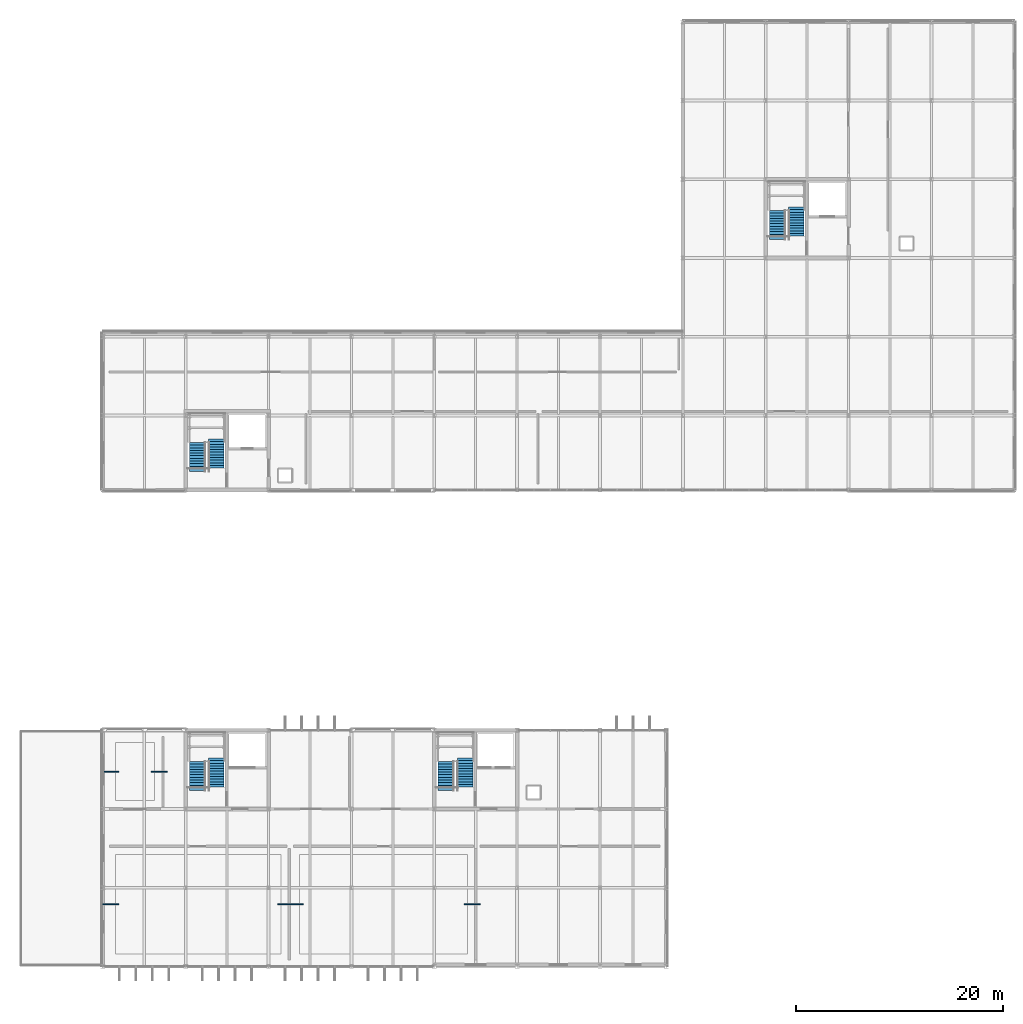
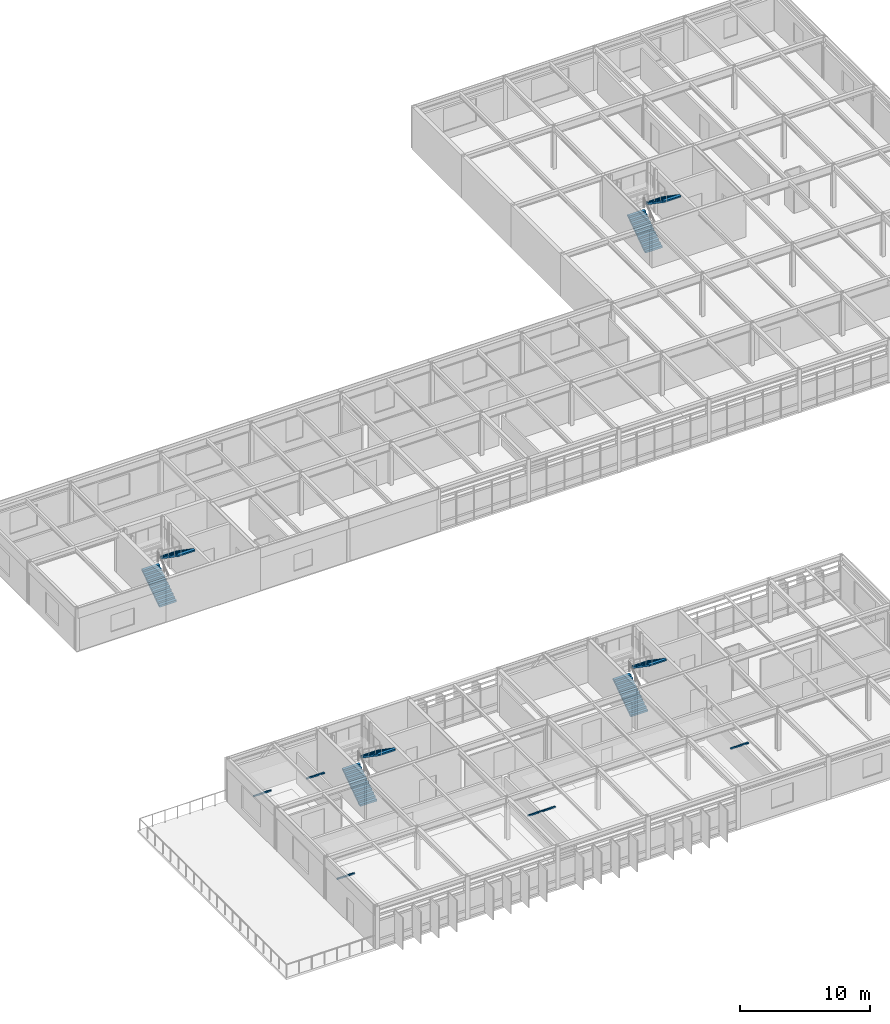
# One storey, part 36 of 45: 8 stair flights, 6 discrete accessories, 4 elements without a shape of their own.
"""IFC4 building model written with IfcOpenShell, lengths in metres."""

from ifc_helpers import new_model, si_unit, direction, frame, origin, origin_2d, place, context, subcontext, project, spatial, polyline, rectangle, outline, extrude, material, layer, layer_set, type_object, element, aggregate, save


model = new_model("IFC4")

# Units and contexts
model_context = context("Model", 3, precision=1e-05, world=origin(), true_north=direction((0.0, 1.0)))
body_context = subcontext(model_context, "Body", "Model", "MODEL_VIEW")
ifc_project = project(units=[si_unit("LENGTHUNIT", "METRE"), si_unit("AREAUNIT", "SQUARE_METRE"), si_unit("VOLUMEUNIT", "CUBIC_METRE"), si_unit("PLANEANGLEUNIT", "RADIAN"), si_unit("MASSUNIT", "GRAM", prefix="KILO")], contexts=[model_context])

# Site, building, storey
site_placement = place(None, origin())
site = spatial("IfcSite", under=ifc_project, at=site_placement, CompositionType="ELEMENT")
building_placement = place(site_placement, origin())
building = spatial("IfcBuilding", under=site, at=building_placement, Name="Zulena Civic Courthouse", CompositionType="ELEMENT")
storey_placement = place(building_placement, frame((0.0, 0.0, 29.39990234375)))
storey = spatial("IfcBuildingStorey", under=building, at=storey_placement, Name="L06", CompositionType="ELEMENT", Elevation=29.39990234375)

# Stair, stair flights
ifc_material_1 = material(Name="Precast concrete C40/50", Category="concrete")
stair_type = type_object("IfcStairType", Name="HalfTurnStair_4200", PredefinedType="HALF_TURN_STAIR", material=ifc_material_1)
stair_1_placement = place(storey_placement, origin())
stair_1 = element("IfcStair", 1, at=stair_1_placement, inside=storey, type_object=stair_type, Name="stair:K2A:L06", PredefinedType="HALF_TURN_STAIR")
stair_flight_type = type_object("IfcStairFlightType", Name="StairFlight_4200", PredefinedType="STRAIGHT", material=ifc_material_1)
stair_flight_1_placement = place(storey_placement, frame((21.1298828125, 16.97998046875, 0.0), z_axis=(0.0, 0.0, 1.0), x_axis=(0.0, 1.0, 0.0)))
stair_flight_1 = element("IfcStairFlight", 2, at=stair_flight_1_placement, type_object=stair_flight_type, Name="stair:K2A:L06:F1", NumberOfRisers=12, NumberOfTreads=11, PredefinedType="STRAIGHT", RiserHeight=0.175, TreadLength=0.255, context=body_context, shape_type="SweptSolid", body=[
    extrude(outline(polyline([(0.0, 0.0), (0.0, 0.175048828125), (0.2548828125, 0.175048828125), (0.2548828125, 0.35009765625), (0.510009765625, 0.35009765625), (0.510009765625, 0.52490234375), (0.764892578125, 0.52490234375), (0.764892578125, 0.699951171875), (1.02001953125, 0.699951171875), (1.02001953125, 0.875), (1.27490234375, 0.875), (1.27490234375, 1.050048828125), (1.530029296875, 1.050048828125), (1.530029296875, 1.22509765625), (1.784912109375, 1.22509765625), (1.784912109375, 1.39990234375), (2.0400390625, 1.39990234375), (2.0400390625, 1.574951171875), (2.294921875, 1.574951171875), (2.294921875, 1.75), (2.550048828125, 1.75), (2.550048828125, 1.925048828125), (2.804931640625, 1.925048828125), (2.804931640625, 2.10009765625), (2.804931640625, 1.797607421875), (0.185546875, 0.0), (0.0, 0.0)])), frame((0.0, 0.75, 0.0), z_axis=(0.0, -1.0, 0.0), x_axis=(1.0, 0.0, 0.0)), (0.0, 0.0, 1.0), 1.5),
])
stair_flight_2_placement = place(storey_placement, frame((22.969970703125, 20.124755859375, 2.10009765625), z_axis=(0.0, 0.0, 1.0), x_axis=(0.0, -1.0, 0.0)))
stair_flight_2 = element("IfcStairFlight", 3, at=stair_flight_2_placement, type_object=stair_flight_type, Name="stair:K2A:L06:F2", NumberOfRisers=12, NumberOfTreads=11, PredefinedType="STRAIGHT", RiserHeight=0.175, TreadLength=0.255, context=body_context, shape_type="SweptSolid", body=[
    extrude(outline(polyline([(0.0, 0.0), (0.0, 0.175048828125), (0.2548828125, 0.175048828125), (0.2548828125, 0.35009765625), (0.510009765625, 0.35009765625), (0.510009765625, 0.52490234375), (0.764892578125, 0.52490234375), (0.764892578125, 0.699951171875), (1.02001953125, 0.699951171875), (1.02001953125, 0.875), (1.27490234375, 0.875), (1.27490234375, 1.050048828125), (1.530029296875, 1.050048828125), (1.530029296875, 1.22509765625), (1.784912109375, 1.22509765625), (1.784912109375, 1.39990234375), (2.0400390625, 1.39990234375), (2.0400390625, 1.574951171875), (2.294921875, 1.574951171875), (2.294921875, 1.75), (2.550048828125, 1.75), (2.550048828125, 1.925048828125), (2.804931640625, 1.925048828125), (2.804931640625, 2.10009765625), (2.804931640625, 1.797607421875), (0.185546875, 0.0), (0.0, 0.0)])), frame((0.0, 0.75, 0.0), z_axis=(0.0, -1.0, 0.0), x_axis=(1.0, 0.0, 0.0)), (0.0, 0.0, 1.0), 1.5),
])
aggregate(stair_1, [stair_flight_1, stair_flight_2])

stair_2_placement = place(storey_placement, origin())
stair_2 = element("IfcStair", 4, at=stair_2_placement, inside=storey, type_object=stair_type, Name="stair:K2B:L06", PredefinedType="HALF_TURN_STAIR")
stair_flight_3_placement = place(storey_placement, frame((45.1298828125, 16.97998046875, 0.0), z_axis=(0.0, 0.0, 1.0), x_axis=(0.0, 1.0, 0.0)))
stair_flight_3 = element("IfcStairFlight", 5, at=stair_flight_3_placement, type_object=stair_flight_type, Name="stair:K2B:L06:F1", NumberOfRisers=12, NumberOfTreads=11, PredefinedType="STRAIGHT", RiserHeight=0.175, TreadLength=0.255, context=body_context, shape_type="SweptSolid", body=[
    extrude(outline(polyline([(0.0, 0.0), (0.0, 0.175048828125), (0.2548828125, 0.175048828125), (0.2548828125, 0.35009765625), (0.510009765625, 0.35009765625), (0.510009765625, 0.52490234375), (0.764892578125, 0.52490234375), (0.764892578125, 0.699951171875), (1.02001953125, 0.699951171875), (1.02001953125, 0.875), (1.27490234375, 0.875), (1.27490234375, 1.050048828125), (1.530029296875, 1.050048828125), (1.530029296875, 1.22509765625), (1.784912109375, 1.22509765625), (1.784912109375, 1.39990234375), (2.0400390625, 1.39990234375), (2.0400390625, 1.574951171875), (2.294921875, 1.574951171875), (2.294921875, 1.75), (2.550048828125, 1.75), (2.550048828125, 1.925048828125), (2.804931640625, 1.925048828125), (2.804931640625, 2.10009765625), (2.804931640625, 1.797607421875), (0.185546875, 0.0), (0.0, 0.0)])), frame((0.0, 0.75, 0.0), z_axis=(0.0, -1.0, 0.0), x_axis=(1.0, 0.0, 0.0)), (0.0, 0.0, 1.0), 1.5),
])
stair_flight_4_placement = place(storey_placement, frame((46.969970703125, 20.124755859375, 2.10009765625), z_axis=(0.0, 0.0, 1.0), x_axis=(0.0, -1.0, 0.0)))
stair_flight_4 = element("IfcStairFlight", 6, at=stair_flight_4_placement, type_object=stair_flight_type, Name="stair:K2B:L06:F2", NumberOfRisers=12, NumberOfTreads=11, PredefinedType="STRAIGHT", RiserHeight=0.175, TreadLength=0.255, context=body_context, shape_type="SweptSolid", body=[
    extrude(outline(polyline([(0.0, 0.0), (0.0, 0.175048828125), (0.2548828125, 0.175048828125), (0.2548828125, 0.35009765625), (0.510009765625, 0.35009765625), (0.510009765625, 0.52490234375), (0.764892578125, 0.52490234375), (0.764892578125, 0.699951171875), (1.02001953125, 0.699951171875), (1.02001953125, 0.875), (1.27490234375, 0.875), (1.27490234375, 1.050048828125), (1.530029296875, 1.050048828125), (1.530029296875, 1.22509765625), (1.784912109375, 1.22509765625), (1.784912109375, 1.39990234375), (2.0400390625, 1.39990234375), (2.0400390625, 1.574951171875), (2.294921875, 1.574951171875), (2.294921875, 1.75), (2.550048828125, 1.75), (2.550048828125, 1.925048828125), (2.804931640625, 1.925048828125), (2.804931640625, 2.10009765625), (2.804931640625, 1.797607421875), (0.185546875, 0.0), (0.0, 0.0)])), frame((0.0, 0.75, 0.0), z_axis=(0.0, -1.0, 0.0), x_axis=(1.0, 0.0, 0.0)), (0.0, 0.0, 1.0), 1.5),
])
aggregate(stair_2, [stair_flight_3, stair_flight_4])

stair_3_placement = place(storey_placement, origin())
stair_3 = element("IfcStair", 7, at=stair_3_placement, inside=storey, type_object=stair_type, Name="stair:K5A:L06", PredefinedType="HALF_TURN_STAIR")
stair_flight_5_placement = place(storey_placement, frame((21.1298828125, 47.780029296875, 0.0), z_axis=(0.0, 0.0, 1.0), x_axis=(0.0, 1.0, 0.0)))
stair_flight_5 = element("IfcStairFlight", 8, at=stair_flight_5_placement, type_object=stair_flight_type, Name="stair:K5A:L06:F1", NumberOfRisers=12, NumberOfTreads=11, PredefinedType="STRAIGHT", RiserHeight=0.175, TreadLength=0.255, context=body_context, shape_type="SweptSolid", body=[
    extrude(outline(polyline([(0.0, 0.0), (0.0, 0.175048828125), (0.2548828125, 0.175048828125), (0.2548828125, 0.35009765625), (0.510009765625, 0.35009765625), (0.510009765625, 0.52490234375), (0.764892578125, 0.52490234375), (0.764892578125, 0.699951171875), (1.02001953125, 0.699951171875), (1.02001953125, 0.875), (1.27490234375, 0.875), (1.27490234375, 1.050048828125), (1.530029296875, 1.050048828125), (1.530029296875, 1.22509765625), (1.784912109375, 1.22509765625), (1.784912109375, 1.39990234375), (2.0400390625, 1.39990234375), (2.0400390625, 1.574951171875), (2.294921875, 1.574951171875), (2.294921875, 1.75), (2.550048828125, 1.75), (2.550048828125, 1.925048828125), (2.804931640625, 1.925048828125), (2.804931640625, 2.10009765625), (2.804931640625, 1.797607421875), (0.185546875, 0.0), (0.0, 0.0)])), frame((0.0, 0.75, 0.0), z_axis=(0.0, -1.0, 0.0), x_axis=(1.0, 0.0, 0.0)), (0.0, 0.0, 1.0), 1.5),
])
stair_flight_6_placement = place(storey_placement, frame((22.969970703125, 50.9248046875, 2.10009765625), z_axis=(0.0, 0.0, 1.0), x_axis=(0.0, -1.0, 0.0)))
stair_flight_6 = element("IfcStairFlight", 9, at=stair_flight_6_placement, type_object=stair_flight_type, Name="stair:K5A:L06:F2", NumberOfRisers=12, NumberOfTreads=11, PredefinedType="STRAIGHT", RiserHeight=0.175, TreadLength=0.255, context=body_context, shape_type="SweptSolid", body=[
    extrude(outline(polyline([(0.0, 0.0), (0.0, 0.175048828125), (0.2548828125, 0.175048828125), (0.2548828125, 0.35009765625), (0.510009765625, 0.35009765625), (0.510009765625, 0.52490234375), (0.764892578125, 0.52490234375), (0.764892578125, 0.699951171875), (1.02001953125, 0.699951171875), (1.02001953125, 0.875), (1.27490234375, 0.875), (1.27490234375, 1.050048828125), (1.530029296875, 1.050048828125), (1.530029296875, 1.22509765625), (1.784912109375, 1.22509765625), (1.784912109375, 1.39990234375), (2.0400390625, 1.39990234375), (2.0400390625, 1.574951171875), (2.294921875, 1.574951171875), (2.294921875, 1.75), (2.550048828125, 1.75), (2.550048828125, 1.925048828125), (2.804931640625, 1.925048828125), (2.804931640625, 2.10009765625), (2.804931640625, 1.797607421875), (0.185546875, 0.0), (0.0, 0.0)])), frame((0.0, 0.75, 0.0), z_axis=(0.0, -1.0, 0.0), x_axis=(1.0, 0.0, 0.0)), (0.0, 0.0, 1.0), 1.5),
])
aggregate(stair_3, [stair_flight_5, stair_flight_6])

stair_4_placement = place(storey_placement, origin())
stair_4 = element("IfcStair", 10, at=stair_4_placement, inside=storey, type_object=stair_type, Name="stair:K5B:L06", PredefinedType="HALF_TURN_STAIR")
stair_flight_7_placement = place(storey_placement, frame((77.1298828125, 70.179931640625, 0.0), z_axis=(0.0, 0.0, 1.0), x_axis=(0.0, 1.0, 0.0)))
stair_flight_7 = element("IfcStairFlight", 11, at=stair_flight_7_placement, type_object=stair_flight_type, Name="stair:K5B:L06:F1", NumberOfRisers=12, NumberOfTreads=11, PredefinedType="STRAIGHT", RiserHeight=0.175, TreadLength=0.255, context=body_context, shape_type="SweptSolid", body=[
    extrude(outline(polyline([(0.0, 0.0), (0.0, 0.175048828125), (0.2548828125, 0.175048828125), (0.2548828125, 0.35009765625), (0.510009765625, 0.35009765625), (0.510009765625, 0.52490234375), (0.764892578125, 0.52490234375), (0.764892578125, 0.699951171875), (1.02001953125, 0.699951171875), (1.02001953125, 0.875), (1.27490234375, 0.875), (1.27490234375, 1.050048828125), (1.530029296875, 1.050048828125), (1.530029296875, 1.22509765625), (1.784912109375, 1.22509765625), (1.784912109375, 1.39990234375), (2.0400390625, 1.39990234375), (2.0400390625, 1.574951171875), (2.294921875, 1.574951171875), (2.294921875, 1.75), (2.550048828125, 1.75), (2.550048828125, 1.925048828125), (2.804931640625, 1.925048828125), (2.804931640625, 2.10009765625), (2.804931640625, 1.797607421875), (0.185546875, 0.0), (0.0, 0.0)])), frame((0.0, 0.75, 0.0), z_axis=(0.0, -1.0, 0.0), x_axis=(1.0, 0.0, 0.0)), (0.0, 0.0, 1.0), 1.5),
])
stair_flight_8_placement = place(storey_placement, frame((78.969970703125, 73.32470703125, 2.10009765625), z_axis=(0.0, 0.0, 1.0), x_axis=(0.0, -1.0, 0.0)))
stair_flight_8 = element("IfcStairFlight", 12, at=stair_flight_8_placement, type_object=stair_flight_type, Name="stair:K5B:L06:F2", NumberOfRisers=12, NumberOfTreads=11, PredefinedType="STRAIGHT", RiserHeight=0.175, TreadLength=0.255, context=body_context, shape_type="SweptSolid", body=[
    extrude(outline(polyline([(0.0, 0.0), (0.0, 0.175048828125), (0.2548828125, 0.175048828125), (0.2548828125, 0.35009765625), (0.510009765625, 0.35009765625), (0.510009765625, 0.52490234375), (0.764892578125, 0.52490234375), (0.764892578125, 0.699951171875), (1.02001953125, 0.699951171875), (1.02001953125, 0.875), (1.27490234375, 0.875), (1.27490234375, 1.050048828125), (1.530029296875, 1.050048828125), (1.530029296875, 1.22509765625), (1.784912109375, 1.22509765625), (1.784912109375, 1.39990234375), (2.0400390625, 1.39990234375), (2.0400390625, 1.574951171875), (2.294921875, 1.574951171875), (2.294921875, 1.75), (2.550048828125, 1.75), (2.550048828125, 1.925048828125), (2.804931640625, 1.925048828125), (2.804931640625, 2.10009765625), (2.804931640625, 1.797607421875), (0.185546875, 0.0), (0.0, 0.0)])), frame((0.0, 0.75, 0.0), z_axis=(0.0, -1.0, 0.0), x_axis=(1.0, 0.0, 0.0)), (0.0, 0.0, 1.0), 1.5),
])
aggregate(stair_4, [stair_flight_7, stair_flight_8])

# Discrete accessories
ifc_material_2 = material(Name="Gold anodised architectural aluminium AA6063-T6", Category="aluminium")
ifc_layer = layer(ifc_material_2, 0.1201171875)
ifc_layer_set = layer_set([ifc_layer], Name="Gold anodised architectural aluminium AA6063-T6")
discrete_accessory_type = type_object("IfcDiscreteAccessoryType", Name="FinOutriggerBracket", PredefinedType="BRACKET", material=ifc_layer_set)
for number, where, z_axis, x_axis, name in (
    (13, (12.75, 6.0, 2.7900390625), (0.0, 0.0, 1.0), (1.0, 0.0, 0.0), "hng:ceil:L06:341:0"),
    (14, (29.64990234375, 6.0, 2.7900390625), (0.0, 0.0, 1.0), (1.0, 0.0, 0.0), "hng:ceil:L06:341:1"),
    (15, (30.550048828125, 6.0, 2.7900390625), (0.0, 0.0, 1.0), (1.0, 0.0, 0.0), "hng:ceil:L06:342:0"),
    (16, (47.64990234375, 6.0, 2.7900390625), (0.0, 0.0, 1.0), (1.0, 0.0, 0.0), "hng:ceil:L06:342:1"),
    (17, (12.75, 18.800048828125, 2.7900390625), (0.0, 0.0, 1.0), (1.0, 0.0, 0.0), "hng:ceil:L06:344:0"),
    (18, (17.449951171875, 18.800048828125, 2.7900390625), (0.0, 0.0, 1.0), (1.0, 0.0, 0.0), "hng:ceil:L06:344:1"),
):
    element("IfcDiscreteAccessory", number, at=place(storey_placement, frame(where, z_axis=z_axis, x_axis=x_axis)), inside=storey, type_object=discrete_accessory_type, Name=name, PredefinedType="BRACKET", context=body_context, shape_type="SweptSolid", body=[
        extrude(rectangle(XDim=1.550048828125, YDim=0.1201171875, at=origin_2d()), origin(), (0.0, 0.0, 1.0), 0.080078125),
    ])

save(model, "model.ifc")
